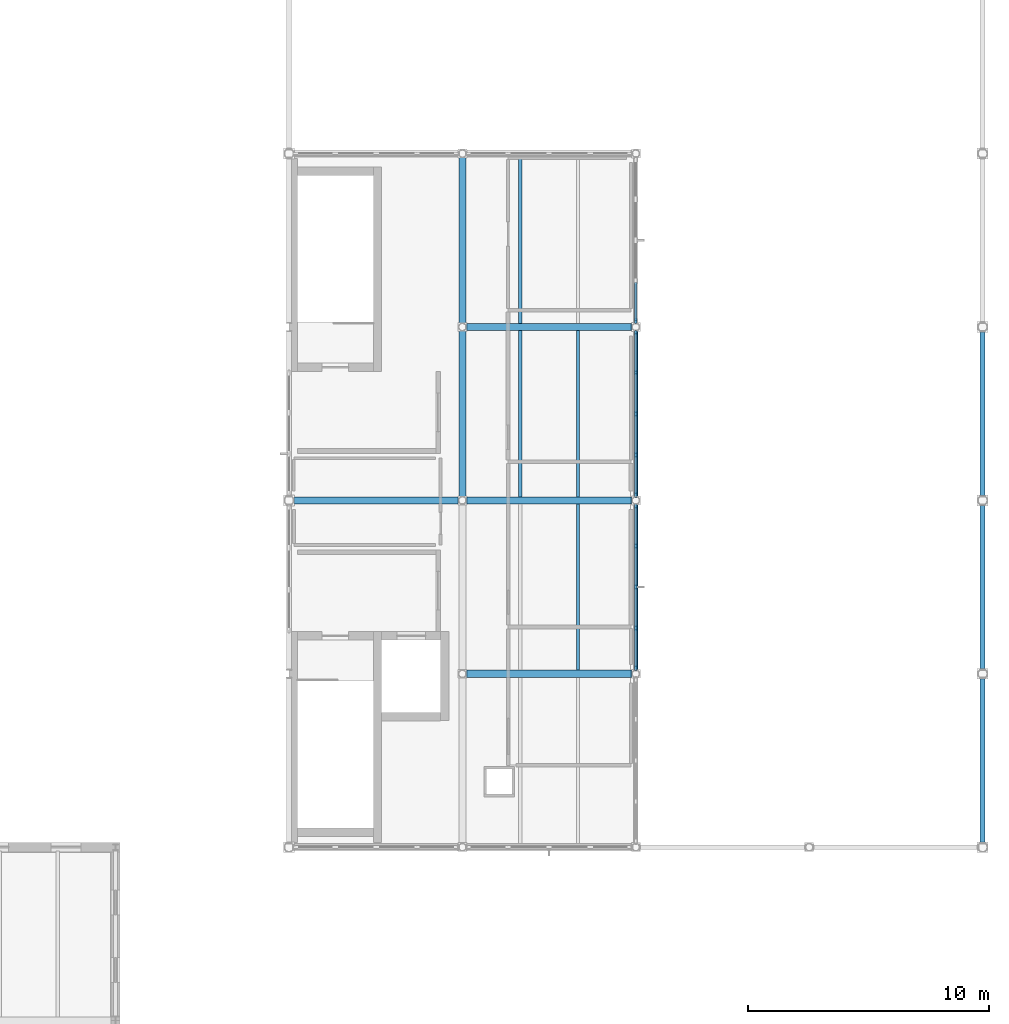
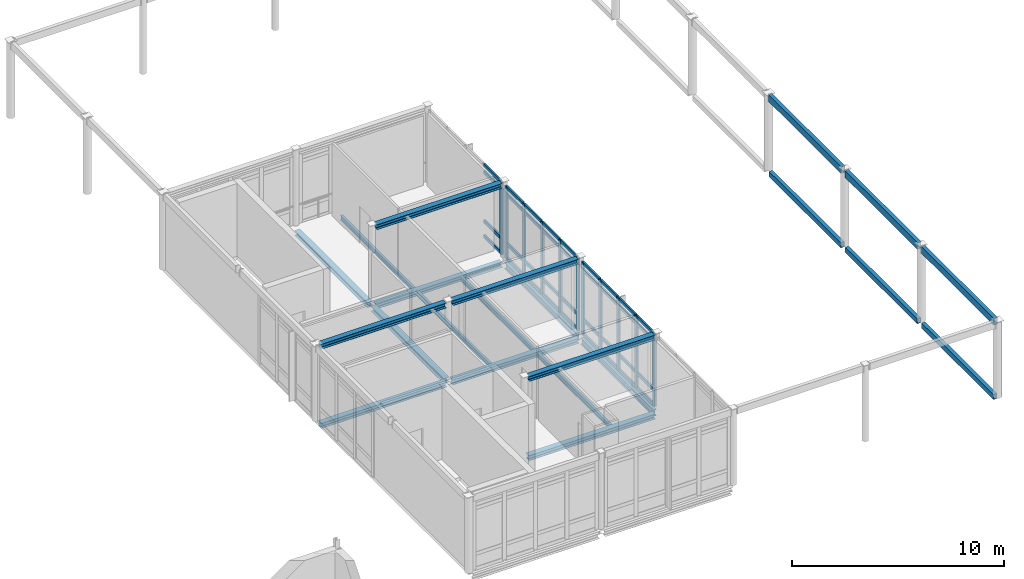
# One storey, part 25 of 72: 47 members, 22 beams, 3 elements without a shape of their own.
"""IFC4 building model written with IfcOpenShell, lengths in metres."""

from ifc_helpers import new_model, si_unit, direction, frame, origin, origin_2d, place, context, subcontext, project, spatial, rectangle, hollow_rectangle, i_section, extrude, material, layer, layer_set, material_profile, profile_set, type_object, element, aggregate, save


model = new_model("IFC4")

# Units and contexts
model_context = context("Model", 3, precision=1e-05, world=origin(), true_north=direction((0.0, 1.0)))
body_context = subcontext(model_context, "Body", "Model", "MODEL_VIEW")
ifc_project = project(units=[si_unit("LENGTHUNIT", "METRE"), si_unit("AREAUNIT", "SQUARE_METRE"), si_unit("VOLUMEUNIT", "CUBIC_METRE"), si_unit("PLANEANGLEUNIT", "RADIAN"), si_unit("MASSUNIT", "GRAM", prefix="KILO")], contexts=[model_context])

# Site, building, storey
site_placement = place(None, origin())
site = spatial("IfcSite", under=ifc_project, at=site_placement, CompositionType="ELEMENT")
building_placement = place(site_placement, origin())
building = spatial("IfcBuilding", under=site, at=building_placement, Name="Zarrinpeak Specialist Clinic", CompositionType="ELEMENT")
storey_placement = place(building_placement, frame((0.0, 0.0, 9.60009765625)))
storey = spatial("IfcBuildingStorey", under=building, at=storey_placement, Name="L02", CompositionType="ELEMENT", Elevation=9.60009765625)

# Beams
ifc_material_1 = material(Name="Steel S355", Category="steel")
ifc_material_profile_1 = material_profile(ifc_material_1, i_section(OverallWidth=0.300048828125, OverallDepth=0.2900390625, WebThickness=0.008544921875, FlangeThickness=0.013916015625, FilletRadius=0.027099609375, at=origin_2d()), Name="HEA 300")
ifc_profile_set_1 = profile_set([ifc_material_profile_1], Name="Steel S355")
beam_type_1 = type_object("IfcBeamType", Name="BM-HEA300", PredefinedType="BEAM", material=ifc_profile_set_1)
beam_1_placement = place(storey_placement, frame((100.9599609375, 36.0, -0.360107421875), z_axis=(1.0, 0.0, 0.0), x_axis=(0.0, 1.0, 0.0)))
element("IfcBeam", 1, at=beam_1_placement, inside=storey, type_object=beam_type_1, Name="L02 Primary Floor Girder BM-L02-X1165", PredefinedType="BEAM", context=body_context, shape_type="SweptSolid", body=[
    extrude(i_section(OverallWidth=0.300048828125, OverallDepth=0.2900390625, WebThickness=0.008544921875, FlangeThickness=0.013916015625, FilletRadius=0.027099609375, at=origin_2d()), origin(), (0.0, 0.0, 1.0), 6.880126953125),
])
beam_2_placement = place(storey_placement, frame((93.80126953125, 43.199951171875, -0.360107421875), z_axis=(1.0, 0.0, 0.0), x_axis=(0.0, 1.0, 0.0)))
element("IfcBeam", 2, at=beam_2_placement, inside=storey, type_object=beam_type_1, Name="L02 Primary Floor Girder BM-L02-X1170", PredefinedType="BEAM", context=body_context, shape_type="SweptSolid", body=[
    extrude(i_section(OverallWidth=0.300048828125, OverallDepth=0.2900390625, WebThickness=0.008544921875, FlangeThickness=0.013916015625, FilletRadius=0.027099609375, at=origin_2d()), origin(), (0.0, 0.0, 1.0), 6.838623046875),
])
for number, where, z_axis, x_axis, name in (
    (3, (100.9599609375, 43.199951171875, -0.360107421875), (1.0, 0.0, 0.0), (0.0, 1.0, 0.0), "L02 Primary Floor Girder BM-L02-X1171"),
    (4, (100.9599609375, 50.39990234375, -0.360107421875), (1.0, 0.0, 0.0), (0.0, 1.0, 0.0), "L02 Primary Floor Girder BM-L02-X1176"),
    (5, (100.800048828125, 43.35986328125, -0.360107421875), (0.0, 1.0, 0.0), (-1.0, 0.0, 0.0), "L02 Primary Beam BM-L02-Y1325"),
):
    element("IfcBeam", number, at=place(storey_placement, frame(where, z_axis=z_axis, x_axis=x_axis)), inside=storey, type_object=beam_type_1, Name=name, PredefinedType="BEAM", context=body_context, shape_type="SweptSolid", body=[
        extrude(i_section(OverallWidth=0.300048828125, OverallDepth=0.2900390625, WebThickness=0.008544921875, FlangeThickness=0.013916015625, FilletRadius=0.027099609375, at=origin_2d()), origin(), (0.0, 0.0, 1.0), 6.880126953125),
    ])
beam_3_placement = place(storey_placement, frame((100.800048828125, 50.559814453125, -0.360107421875), z_axis=(0.0, 1.0, 0.0), x_axis=(-1.0, 0.0, 0.0)))
element("IfcBeam", 6, at=beam_3_placement, inside=storey, type_object=beam_type_1, Name="L02 Primary Beam BM-L02-Y1326", PredefinedType="BEAM", context=body_context, shape_type="SweptSolid", body=[
    extrude(i_section(OverallWidth=0.300048828125, OverallDepth=0.2900390625, WebThickness=0.008544921875, FlangeThickness=0.013916015625, FilletRadius=0.027099609375, at=origin_2d()), origin(), (0.0, 0.0, 1.0), 6.88037109375),
])
for number, where, z_axis, x_axis, name in (
    (7, (100.989990234375, 36.0, 4.199951171875), (1.0, 0.0, 0.0), (0.0, 1.0, 0.0), "V3 Gallery Top Tie Beam BM-V3-TOP-2567"),
    (8, (93.7900390625, 43.199951171875, 4.199951171875), (1.0, 0.0, 0.0), (0.0, 1.0, 0.0), "V3 Gallery Top Tie Beam BM-V3-TOP-2568"),
    (9, (100.989990234375, 43.199951171875, 4.199951171875), (1.0, 0.0, 0.0), (0.0, 1.0, 0.0), "V3 Gallery Top Tie Beam BM-V3-TOP-2569"),
    (10, (100.989990234375, 50.39990234375, 4.199951171875), (1.0, 0.0, 0.0), (0.0, 1.0, 0.0), "V3 Gallery Top Tie Beam BM-V3-TOP-2570"),
):
    element("IfcBeam", number, at=place(storey_placement, frame(where, z_axis=z_axis, x_axis=x_axis)), inside=storey, type_object=beam_type_1, Name=name, PredefinedType="BEAM", context=body_context, shape_type="SweptSolid", body=[
        extrude(i_section(OverallWidth=0.300048828125, OverallDepth=0.2900390625, WebThickness=0.008544921875, FlangeThickness=0.013916015625, FilletRadius=0.027099609375, at=origin_2d()), origin(), (0.0, 0.0, 1.0), 6.820068359375),
    ])
ifc_material_profile_2 = material_profile(ifc_material_1, i_section(OverallWidth=0.135009765625, OverallDepth=0.27001953125, WebThickness=0.006591796875, FlangeThickness=0.01025390625, FilletRadius=0.014892578125, at=origin_2d()), Name="IPE 270")
ifc_profile_set_2 = profile_set([ifc_material_profile_2], Name="Steel S355")
beam_type_2 = type_object("IfcBeamType", Name="BM-JST270", PredefinedType="JOIST", material=ifc_profile_set_2)
for number, where, z_axis, x_axis, name in (
    (11, (105.60009765625, 36.14794921875, -0.35009765625), (0.0, 1.0, 0.0), (-1.0, 0.0, 0.0), "L02 Composite Floor Joist JST-L02-1418"),
    (12, (103.199951171875, 43.347900390625, -0.35009765625), (0.0, 1.0, 0.0), (-1.0, 0.0, 0.0), "L02 Composite Floor Joist JST-L02-1419"),
    (13, (105.60009765625, 43.347900390625, -0.35009765625), (0.0, 1.0, 0.0), (-1.0, 0.0, 0.0), "L02 Composite Floor Joist JST-L02-1420"),
):
    element("IfcBeam", number, at=place(storey_placement, frame(where, z_axis=z_axis, x_axis=x_axis)), inside=storey, type_object=beam_type_2, Name=name, PredefinedType="JOIST", context=body_context, shape_type="SweptSolid", body=[
        extrude(i_section(OverallWidth=0.135009765625, OverallDepth=0.27001953125, WebThickness=0.006591796875, FlangeThickness=0.01025390625, FilletRadius=0.014892578125, at=origin_2d()), origin(), (0.0, 0.0, 1.0), 6.904052734375),
    ])
beam_4_placement = place(storey_placement, frame((103.199951171875, 50.548095703125, -0.35009765625), z_axis=(0.0, 1.0, 0.0), x_axis=(-1.0, 0.0, 0.0)))
element("IfcBeam", 14, at=beam_4_placement, inside=storey, type_object=beam_type_2, Name="L02 Composite Floor Joist JST-L02-1421", PredefinedType="JOIST", context=body_context, shape_type="SweptSolid", body=[
    extrude(i_section(OverallWidth=0.135009765625, OverallDepth=0.27001953125, WebThickness=0.006591796875, FlangeThickness=0.01025390625, FilletRadius=0.014892578125, at=origin_2d()), origin(), (0.0, 0.0, 1.0), 6.90380859375),
])
ifc_material_profile_3 = material_profile(ifc_material_1, hollow_rectangle(XDim=0.199951171875, YDim=0.39990234375, WallThickness=0.01611328125, at=origin_2d()), Name="RHS 400x200x16.0")
ifc_profile_set_3 = profile_set([ifc_material_profile_3], Name="Steel S355")
beam_type_3 = type_object("IfcBeamType", Name="BM-RING400", PredefinedType="BEAM", material=ifc_profile_set_3)
for number, where, z_axis, x_axis, name in (
    (15, (122.39990234375, 28.97998046875, 4.199951171875), (0.0, 1.0, 0.0), (-1.0, 0.0, 0.0), "V3 Gridshell Perimeter Ring Beam RB-V3-Y2561"),
    (16, (122.39990234375, 36.179931640625, 4.199951171875), (0.0, 1.0, 0.0), (-1.0, 0.0, 0.0), "V3 Gridshell Perimeter Ring Beam RB-V3-Y2562"),
    (17, (122.39990234375, 43.3798828125, 4.199951171875), (0.0, 1.0, 0.0), (-1.0, 0.0, 0.0), "V3 Gridshell Perimeter Ring Beam RB-V3-Y2563"),
):
    element("IfcBeam", number, at=place(storey_placement, frame(where, z_axis=z_axis, x_axis=x_axis)), inside=storey, type_object=beam_type_3, Name=name, PredefinedType="BEAM", context=body_context, shape_type="SweptSolid", body=[
        extrude(hollow_rectangle(XDim=0.199951171875, YDim=0.39990234375, WallThickness=0.01611328125, at=origin_2d()), origin(), (0.0, 0.0, 1.0), 6.840087890625),
    ])
ifc_material_profile_4 = material_profile(ifc_material_1, hollow_rectangle(XDim=0.199951171875, YDim=0.300048828125, WallThickness=0.012451171875, at=origin_2d()), Name="RHS 300x200x12.5")
ifc_profile_set_4 = profile_set([ifc_material_profile_4], Name="Steel S355")
beam_type_4 = type_object("IfcBeamType", Name="BM-SP300", PredefinedType="SPANDREL", material=ifc_profile_set_4)
for number, where, z_axis, x_axis, name in (
    (18, (122.39990234375, 29.010009765625, -0.150146484375), (0.0, 1.0, 0.0), (-1.0, 0.0, 0.0), "L02 V3 Hall East Spandrel Girt Y2541"),
    (19, (122.39990234375, 36.2099609375, -0.150146484375), (0.0, 1.0, 0.0), (-1.0, 0.0, 0.0), "L02 V3 Hall East Spandrel Girt Y2542"),
    (20, (122.39990234375, 43.409912109375, -0.150146484375), (0.0, 1.0, 0.0), (-1.0, 0.0, 0.0), "L02 V3 Hall East Spandrel Girt Y2543"),
):
    element("IfcBeam", number, at=place(storey_placement, frame(where, z_axis=z_axis, x_axis=x_axis)), inside=storey, type_object=beam_type_4, Name=name, PredefinedType="SPANDREL", context=body_context, shape_type="SweptSolid", body=[
        extrude(hollow_rectangle(XDim=0.199951171875, YDim=0.300048828125, WallThickness=0.012451171875, at=origin_2d()), origin(), (0.0, 0.0, 1.0), 6.780029296875),
    ])
ifc_material_profile_5 = material_profile(ifc_material_1, i_section(OverallWidth=0.169921875, OverallDepth=0.360107421875, WebThickness=0.008056640625, FlangeThickness=0.0126953125, FilletRadius=0.01806640625, at=origin_2d()), Name="IPE 360")
ifc_profile_set_5 = profile_set([ifc_material_profile_5], Name="Steel S355")
beam_type_5 = type_object("IfcBeamType", Name="BM-SP360", PredefinedType="SPANDREL", material=ifc_profile_set_5)
for number, where, z_axis, x_axis, name in (
    (21, (108.0, 36.159912109375, -0.39501953125), (0.0, 1.0, 0.0), (-1.0, 0.0, 0.0), "L02 Perimeter Spandrel Beam BM-L02-Y1328"),
    (22, (108.0, 43.35986328125, -0.39501953125), (0.0, 1.0, 0.0), (-1.0, 0.0, 0.0), "L02 Perimeter Spandrel Beam BM-L02-Y1329"),
):
    element("IfcBeam", number, at=place(storey_placement, frame(where, z_axis=z_axis, x_axis=x_axis)), inside=storey, type_object=beam_type_5, Name=name, PredefinedType="SPANDREL", context=body_context, shape_type="SweptSolid", body=[
        extrude(i_section(OverallWidth=0.169921875, OverallDepth=0.360107421875, WebThickness=0.008056640625, FlangeThickness=0.0126953125, FilletRadius=0.01806640625, at=origin_2d()), origin(), (0.0, 0.0, 1.0), 6.880126953125),
    ])

# Curtain wall, members
ifc_material_2 = material(Name="Anodised Aluminium Alloy 6063-T6", Category="aluminium")
ifc_layer = layer(ifc_material_2, 0.199951171875)
ifc_layer_set = layer_set([ifc_layer], Name="Anodised Aluminium Alloy 6063-T6")
curtain_wall_type = type_object("IfcCurtainWallType", Name="CW-HALL", PredefinedType="NOTDEFINED", material=ifc_layer_set)
curtain_wall_1_placement = place(storey_placement, origin())
curtain_wall_1 = element("IfcCurtainWall", 23, at=curtain_wall_1_placement, inside=storey, type_object=curtain_wall_type, Name="L02 V3 Unitised Curtain Wall CW-L02-V3-118", PredefinedType="NOTDEFINED")
ifc_material_profile_6 = material_profile(ifc_material_2, rectangle(XDim=0.090087890625, YDim=0.219970703125, at=origin_2d()), Name="ALU 90x220")
ifc_profile_set_6 = profile_set([ifc_material_profile_6], Name="Anodised Aluminium Alloy 6063-T6")
member_type_1 = type_object("IfcMemberType", Name="CWM-90", PredefinedType="MULLION", material=ifc_profile_set_6)
member_1_placement = place(storey_placement, frame((108.0, 36.23193359375, 0.0), z_axis=(0.0, 0.0, 1.0), x_axis=(-1.0, 0.0, 0.0)))
member_1 = element("IfcMember", 24, at=member_1_placement, type_object=member_type_1, Name="CW-02 mullion 1", PredefinedType="MULLION", context=body_context, shape_type="SweptSolid", body=[
    extrude(rectangle(XDim=0.090087890625, YDim=0.219970703125, at=origin_2d()), origin(), (0.0, 0.0, 1.0), 4.179931640625),
])
member_2_placement = place(storey_placement, frame((108.0, 37.8935546875, 0.0), z_axis=(0.0, 0.0, 1.0), x_axis=(-1.0, 0.0, 0.0)))
member_2 = element("IfcMember", 25, at=member_2_placement, type_object=member_type_1, Name="CW-02 mullion 2", PredefinedType="MULLION", context=body_context, shape_type="SweptSolid", body=[
    extrude(rectangle(XDim=0.090087890625, YDim=0.219970703125, at=origin_2d()), origin(), (0.0, 0.0, 1.0), 4.179931640625),
])
member_3_placement = place(storey_placement, frame((108.0, 39.60009765625, 0.0), z_axis=(0.0, 0.0, 1.0), x_axis=(-1.0, 0.0, 0.0)))
member_3 = element("IfcMember", 26, at=member_3_placement, type_object=member_type_1, Name="CW-02 mullion 3", PredefinedType="MULLION", context=body_context, shape_type="SweptSolid", body=[
    extrude(rectangle(XDim=0.090087890625, YDim=0.219970703125, at=origin_2d()), origin(), (0.0, 0.0, 1.0), 4.179931640625),
])
member_4_placement = place(storey_placement, frame((108.0, 41.306396484375, 0.0), z_axis=(0.0, 0.0, 1.0), x_axis=(-1.0, 0.0, 0.0)))
member_4 = element("IfcMember", 27, at=member_4_placement, type_object=member_type_1, Name="CW-02 mullion 4", PredefinedType="MULLION", context=body_context, shape_type="SweptSolid", body=[
    extrude(rectangle(XDim=0.090087890625, YDim=0.219970703125, at=origin_2d()), origin(), (0.0, 0.0, 1.0), 4.179931640625),
])
member_5_placement = place(storey_placement, frame((108.0, 42.968017578125, 0.0), z_axis=(0.0, 0.0, 1.0), x_axis=(-1.0, 0.0, 0.0)))
member_5 = element("IfcMember", 28, at=member_5_placement, type_object=member_type_1, Name="CW-02 mullion 5", PredefinedType="MULLION", context=body_context, shape_type="SweptSolid", body=[
    extrude(rectangle(XDim=0.090087890625, YDim=0.219970703125, at=origin_2d()), origin(), (0.0, 0.0, 1.0), 4.179931640625),
])

curtain_wall_2_placement = place(storey_placement, origin())
curtain_wall_2 = element("IfcCurtainWall", 29, at=curtain_wall_2_placement, inside=storey, type_object=curtain_wall_type, Name="L02 V3 Unitised Curtain Wall CW-L02-V3-119", PredefinedType="NOTDEFINED")
member_6_placement = place(storey_placement, frame((108.0, 43.431884765625, 0.0), z_axis=(0.0, 0.0, 1.0), x_axis=(-1.0, 0.0, 0.0)))
member_6 = element("IfcMember", 30, at=member_6_placement, type_object=member_type_1, Name="CW-02 mullion 1", PredefinedType="MULLION", context=body_context, shape_type="SweptSolid", body=[
    extrude(rectangle(XDim=0.090087890625, YDim=0.219970703125, at=origin_2d()), origin(), (0.0, 0.0, 1.0), 4.179931640625),
])
member_7_placement = place(storey_placement, frame((108.0, 45.093505859375, 0.0), z_axis=(0.0, 0.0, 1.0), x_axis=(-1.0, 0.0, 0.0)))
member_7 = element("IfcMember", 31, at=member_7_placement, type_object=member_type_1, Name="CW-02 mullion 2", PredefinedType="MULLION", context=body_context, shape_type="SweptSolid", body=[
    extrude(rectangle(XDim=0.090087890625, YDim=0.219970703125, at=origin_2d()), origin(), (0.0, 0.0, 1.0), 4.179931640625),
])
member_8_placement = place(storey_placement, frame((108.0, 46.800048828125, 0.0), z_axis=(0.0, 0.0, 1.0), x_axis=(-1.0, 0.0, 0.0)))
member_8 = element("IfcMember", 32, at=member_8_placement, type_object=member_type_1, Name="CW-02 mullion 3", PredefinedType="MULLION", context=body_context, shape_type="SweptSolid", body=[
    extrude(rectangle(XDim=0.090087890625, YDim=0.219970703125, at=origin_2d()), origin(), (0.0, 0.0, 1.0), 4.179931640625),
])
member_9_placement = place(storey_placement, frame((108.0, 48.506591796875, 0.0), z_axis=(0.0, 0.0, 1.0), x_axis=(-1.0, 0.0, 0.0)))
member_9 = element("IfcMember", 33, at=member_9_placement, type_object=member_type_1, Name="CW-02 mullion 4", PredefinedType="MULLION", context=body_context, shape_type="SweptSolid", body=[
    extrude(rectangle(XDim=0.090087890625, YDim=0.219970703125, at=origin_2d()), origin(), (0.0, 0.0, 1.0), 4.179931640625),
])
member_10_placement = place(storey_placement, frame((108.0, 50.16796875, 0.0), z_axis=(0.0, 0.0, 1.0), x_axis=(-1.0, 0.0, 0.0)))
member_10 = element("IfcMember", 34, at=member_10_placement, type_object=member_type_1, Name="CW-02 mullion 5", PredefinedType="MULLION", context=body_context, shape_type="SweptSolid", body=[
    extrude(rectangle(XDim=0.090087890625, YDim=0.219970703125, at=origin_2d()), origin(), (0.0, 0.0, 1.0), 4.179931640625),
])

# Curtain wall, member
curtain_wall_3_placement = place(storey_placement, origin())
curtain_wall_3 = element("IfcCurtainWall", 35, at=curtain_wall_3_placement, inside=storey, type_object=curtain_wall_type, Name="L02 V3 Unitised Curtain Wall CW-L02-V3-120", PredefinedType="NOTDEFINED")
member_11_placement = place(storey_placement, frame((108.0, 50.632080078125, 0.0), z_axis=(0.0, 0.0, 1.0), x_axis=(-1.0, 0.0, 0.0)))
member_11 = element("IfcMember", 36, at=member_11_placement, type_object=member_type_1, Name="CW-02 mullion 1", PredefinedType="MULLION", context=body_context, shape_type="SweptSolid", body=[
    extrude(rectangle(XDim=0.090087890625, YDim=0.219970703125, at=origin_2d()), origin(), (0.0, 0.0, 1.0), 4.179931640625),
])

# Member
ifc_material_profile_7 = material_profile(ifc_material_2, rectangle(XDim=0.090087890625, YDim=0.18994140625, at=origin_2d()), Name="ALU 90x190")
ifc_profile_set_7 = profile_set([ifc_material_profile_7], Name="Anodised Aluminium Alloy 6063-T6")
member_type_2 = type_object("IfcMemberType", Name="CWT-90", PredefinedType="USERDEFINED", material=ifc_profile_set_7)
member_12_placement = place(storey_placement, frame((108.0, 36.277099609375, 0.044921875), z_axis=(0.0, 1.0, 0.0), x_axis=(-1.0, 0.0, 0.0)))
member_12 = element("IfcMember", 37, at=member_12_placement, type_object=member_type_2, Name="CW-02 transom 1.1", ObjectType="TRANSOM", PredefinedType="USERDEFINED", context=body_context, shape_type="SweptSolid", body=[
    extrude(rectangle(XDim=0.090087890625, YDim=0.18994140625, at=origin_2d()), origin(), (0.0, 0.0, 1.0), 1.5712890625),
])

member_13_placement = place(storey_placement, frame((108.0, 36.277099609375, 0.89990234375), z_axis=(0.0, 1.0, 0.0), x_axis=(-1.0, 0.0, 0.0)))
member_13 = element("IfcMember", 38, at=member_13_placement, type_object=member_type_2, Name="CW-02 transom 1.2", ObjectType="TRANSOM", PredefinedType="USERDEFINED", context=body_context, shape_type="SweptSolid", body=[
    extrude(rectangle(XDim=0.090087890625, YDim=0.18994140625, at=origin_2d()), origin(), (0.0, 0.0, 1.0), 1.5712890625),
])

member_14_placement = place(storey_placement, frame((108.0, 36.277099609375, 3.72998046875), z_axis=(0.0, 1.0, 0.0), x_axis=(-1.0, 0.0, 0.0)))
member_14 = element("IfcMember", 39, at=member_14_placement, type_object=member_type_2, Name="CW-02 transom 1.3", ObjectType="TRANSOM", PredefinedType="USERDEFINED", context=body_context, shape_type="SweptSolid", body=[
    extrude(rectangle(XDim=0.090087890625, YDim=0.18994140625, at=origin_2d()), origin(), (0.0, 0.0, 1.0), 1.5712890625),
])

member_15_placement = place(storey_placement, frame((108.0, 36.277099609375, 4.135009765625), z_axis=(0.0, 1.0, 0.0), x_axis=(-1.0, 0.0, 0.0)))
member_15 = element("IfcMember", 40, at=member_15_placement, type_object=member_type_2, Name="CW-02 transom 1.4", ObjectType="TRANSOM", PredefinedType="USERDEFINED", context=body_context, shape_type="SweptSolid", body=[
    extrude(rectangle(XDim=0.090087890625, YDim=0.18994140625, at=origin_2d()), origin(), (0.0, 0.0, 1.0), 1.5712890625),
])

member_16_placement = place(storey_placement, frame((108.0, 37.9384765625, 0.044921875), z_axis=(0.0, 1.0, 0.0), x_axis=(-1.0, 0.0, 0.0)))
member_16 = element("IfcMember", 41, at=member_16_placement, type_object=member_type_2, Name="CW-02 transom 2.1", ObjectType="TRANSOM", PredefinedType="USERDEFINED", context=body_context, shape_type="SweptSolid", body=[
    extrude(rectangle(XDim=0.090087890625, YDim=0.18994140625, at=origin_2d()), origin(), (0.0, 0.0, 1.0), 1.616455078125),
])

member_17_placement = place(storey_placement, frame((108.0, 37.9384765625, 0.89990234375), z_axis=(0.0, 1.0, 0.0), x_axis=(-1.0, 0.0, 0.0)))
member_17 = element("IfcMember", 42, at=member_17_placement, type_object=member_type_2, Name="CW-02 transom 2.2", ObjectType="TRANSOM", PredefinedType="USERDEFINED", context=body_context, shape_type="SweptSolid", body=[
    extrude(rectangle(XDim=0.090087890625, YDim=0.18994140625, at=origin_2d()), origin(), (0.0, 0.0, 1.0), 1.616455078125),
])

member_18_placement = place(storey_placement, frame((108.0, 37.9384765625, 3.72998046875), z_axis=(0.0, 1.0, 0.0), x_axis=(-1.0, 0.0, 0.0)))
member_18 = element("IfcMember", 43, at=member_18_placement, type_object=member_type_2, Name="CW-02 transom 2.3", ObjectType="TRANSOM", PredefinedType="USERDEFINED", context=body_context, shape_type="SweptSolid", body=[
    extrude(rectangle(XDim=0.090087890625, YDim=0.18994140625, at=origin_2d()), origin(), (0.0, 0.0, 1.0), 1.616455078125),
])

member_19_placement = place(storey_placement, frame((108.0, 37.9384765625, 4.135009765625), z_axis=(0.0, 1.0, 0.0), x_axis=(-1.0, 0.0, 0.0)))
member_19 = element("IfcMember", 44, at=member_19_placement, type_object=member_type_2, Name="CW-02 transom 2.4", ObjectType="TRANSOM", PredefinedType="USERDEFINED", context=body_context, shape_type="SweptSolid", body=[
    extrude(rectangle(XDim=0.090087890625, YDim=0.18994140625, at=origin_2d()), origin(), (0.0, 0.0, 1.0), 1.616455078125),
])

member_20_placement = place(storey_placement, frame((108.0, 39.64501953125, 0.044921875), z_axis=(0.0, 1.0, 0.0), x_axis=(-1.0, 0.0, 0.0)))
member_20 = element("IfcMember", 45, at=member_20_placement, type_object=member_type_2, Name="CW-02 transom 3.1", ObjectType="TRANSOM", PredefinedType="USERDEFINED", context=body_context, shape_type="SweptSolid", body=[
    extrude(rectangle(XDim=0.090087890625, YDim=0.18994140625, at=origin_2d()), origin(), (0.0, 0.0, 1.0), 1.616455078125),
])

member_21_placement = place(storey_placement, frame((108.0, 39.64501953125, 0.89990234375), z_axis=(0.0, 1.0, 0.0), x_axis=(-1.0, 0.0, 0.0)))
member_21 = element("IfcMember", 46, at=member_21_placement, type_object=member_type_2, Name="CW-02 transom 3.2", ObjectType="TRANSOM", PredefinedType="USERDEFINED", context=body_context, shape_type="SweptSolid", body=[
    extrude(rectangle(XDim=0.090087890625, YDim=0.18994140625, at=origin_2d()), origin(), (0.0, 0.0, 1.0), 1.616455078125),
])

member_22_placement = place(storey_placement, frame((108.0, 39.64501953125, 3.72998046875), z_axis=(0.0, 1.0, 0.0), x_axis=(-1.0, 0.0, 0.0)))
member_22 = element("IfcMember", 47, at=member_22_placement, type_object=member_type_2, Name="CW-02 transom 3.3", ObjectType="TRANSOM", PredefinedType="USERDEFINED", context=body_context, shape_type="SweptSolid", body=[
    extrude(rectangle(XDim=0.090087890625, YDim=0.18994140625, at=origin_2d()), origin(), (0.0, 0.0, 1.0), 1.616455078125),
])

member_23_placement = place(storey_placement, frame((108.0, 39.64501953125, 4.135009765625), z_axis=(0.0, 1.0, 0.0), x_axis=(-1.0, 0.0, 0.0)))
member_23 = element("IfcMember", 48, at=member_23_placement, type_object=member_type_2, Name="CW-02 transom 3.4", ObjectType="TRANSOM", PredefinedType="USERDEFINED", context=body_context, shape_type="SweptSolid", body=[
    extrude(rectangle(XDim=0.090087890625, YDim=0.18994140625, at=origin_2d()), origin(), (0.0, 0.0, 1.0), 1.616455078125),
])

member_24_placement = place(storey_placement, frame((108.0, 41.3515625, 0.044921875), z_axis=(0.0, 1.0, 0.0), x_axis=(-1.0, 0.0, 0.0)))
member_24 = element("IfcMember", 49, at=member_24_placement, type_object=member_type_2, Name="CW-02 transom 4.1", ObjectType="TRANSOM", PredefinedType="USERDEFINED", context=body_context, shape_type="SweptSolid", body=[
    extrude(rectangle(XDim=0.090087890625, YDim=0.18994140625, at=origin_2d()), origin(), (0.0, 0.0, 1.0), 1.571533203125),
])

member_25_placement = place(storey_placement, frame((108.0, 41.3515625, 0.89990234375), z_axis=(0.0, 1.0, 0.0), x_axis=(-1.0, 0.0, 0.0)))
member_25 = element("IfcMember", 50, at=member_25_placement, type_object=member_type_2, Name="CW-02 transom 4.2", ObjectType="TRANSOM", PredefinedType="USERDEFINED", context=body_context, shape_type="SweptSolid", body=[
    extrude(rectangle(XDim=0.090087890625, YDim=0.18994140625, at=origin_2d()), origin(), (0.0, 0.0, 1.0), 1.571533203125),
])

member_26_placement = place(storey_placement, frame((108.0, 41.3515625, 3.72998046875), z_axis=(0.0, 1.0, 0.0), x_axis=(-1.0, 0.0, 0.0)))
member_26 = element("IfcMember", 51, at=member_26_placement, type_object=member_type_2, Name="CW-02 transom 4.3", ObjectType="TRANSOM", PredefinedType="USERDEFINED", context=body_context, shape_type="SweptSolid", body=[
    extrude(rectangle(XDim=0.090087890625, YDim=0.18994140625, at=origin_2d()), origin(), (0.0, 0.0, 1.0), 1.571533203125),
])

member_27_placement = place(storey_placement, frame((108.0, 41.3515625, 4.135009765625), z_axis=(0.0, 1.0, 0.0), x_axis=(-1.0, 0.0, 0.0)))
member_27 = element("IfcMember", 52, at=member_27_placement, type_object=member_type_2, Name="CW-02 transom 4.4", ObjectType="TRANSOM", PredefinedType="USERDEFINED", context=body_context, shape_type="SweptSolid", body=[
    extrude(rectangle(XDim=0.090087890625, YDim=0.18994140625, at=origin_2d()), origin(), (0.0, 0.0, 1.0), 1.571533203125),
])

aggregate(curtain_wall_1, [member_1, member_2, member_3, member_4, member_5, member_12, member_13, member_14, member_15, member_16, member_17, member_18, member_19, member_20, member_21, member_22, member_23, member_24, member_25, member_26, member_27])

member_28_placement = place(storey_placement, frame((108.0, 43.47705078125, 0.044921875), z_axis=(0.0, 1.0, 0.0), x_axis=(-1.0, 0.0, 0.0)))
member_28 = element("IfcMember", 53, at=member_28_placement, type_object=member_type_2, Name="CW-02 transom 1.1", ObjectType="TRANSOM", PredefinedType="USERDEFINED", context=body_context, shape_type="SweptSolid", body=[
    extrude(rectangle(XDim=0.090087890625, YDim=0.18994140625, at=origin_2d()), origin(), (0.0, 0.0, 1.0), 1.571533203125),
])

member_29_placement = place(storey_placement, frame((108.0, 43.47705078125, 0.89990234375), z_axis=(0.0, 1.0, 0.0), x_axis=(-1.0, 0.0, 0.0)))
member_29 = element("IfcMember", 54, at=member_29_placement, type_object=member_type_2, Name="CW-02 transom 1.2", ObjectType="TRANSOM", PredefinedType="USERDEFINED", context=body_context, shape_type="SweptSolid", body=[
    extrude(rectangle(XDim=0.090087890625, YDim=0.18994140625, at=origin_2d()), origin(), (0.0, 0.0, 1.0), 1.571533203125),
])

member_30_placement = place(storey_placement, frame((108.0, 43.47705078125, 3.72998046875), z_axis=(0.0, 1.0, 0.0), x_axis=(-1.0, 0.0, 0.0)))
member_30 = element("IfcMember", 55, at=member_30_placement, type_object=member_type_2, Name="CW-02 transom 1.3", ObjectType="TRANSOM", PredefinedType="USERDEFINED", context=body_context, shape_type="SweptSolid", body=[
    extrude(rectangle(XDim=0.090087890625, YDim=0.18994140625, at=origin_2d()), origin(), (0.0, 0.0, 1.0), 1.571533203125),
])

member_31_placement = place(storey_placement, frame((108.0, 43.47705078125, 4.135009765625), z_axis=(0.0, 1.0, 0.0), x_axis=(-1.0, 0.0, 0.0)))
member_31 = element("IfcMember", 56, at=member_31_placement, type_object=member_type_2, Name="CW-02 transom 1.4", ObjectType="TRANSOM", PredefinedType="USERDEFINED", context=body_context, shape_type="SweptSolid", body=[
    extrude(rectangle(XDim=0.090087890625, YDim=0.18994140625, at=origin_2d()), origin(), (0.0, 0.0, 1.0), 1.571533203125),
])

member_32_placement = place(storey_placement, frame((108.0, 45.138427734375, 0.044921875), z_axis=(0.0, 1.0, 0.0), x_axis=(-1.0, 0.0, 0.0)))
member_32 = element("IfcMember", 57, at=member_32_placement, type_object=member_type_2, Name="CW-02 transom 2.1", ObjectType="TRANSOM", PredefinedType="USERDEFINED", context=body_context, shape_type="SweptSolid", body=[
    extrude(rectangle(XDim=0.090087890625, YDim=0.18994140625, at=origin_2d()), origin(), (0.0, 0.0, 1.0), 1.616455078125),
])

member_33_placement = place(storey_placement, frame((108.0, 45.138427734375, 0.89990234375), z_axis=(0.0, 1.0, 0.0), x_axis=(-1.0, 0.0, 0.0)))
member_33 = element("IfcMember", 58, at=member_33_placement, type_object=member_type_2, Name="CW-02 transom 2.2", ObjectType="TRANSOM", PredefinedType="USERDEFINED", context=body_context, shape_type="SweptSolid", body=[
    extrude(rectangle(XDim=0.090087890625, YDim=0.18994140625, at=origin_2d()), origin(), (0.0, 0.0, 1.0), 1.616455078125),
])

member_34_placement = place(storey_placement, frame((108.0, 45.138427734375, 3.72998046875), z_axis=(0.0, 1.0, 0.0), x_axis=(-1.0, 0.0, 0.0)))
member_34 = element("IfcMember", 59, at=member_34_placement, type_object=member_type_2, Name="CW-02 transom 2.3", ObjectType="TRANSOM", PredefinedType="USERDEFINED", context=body_context, shape_type="SweptSolid", body=[
    extrude(rectangle(XDim=0.090087890625, YDim=0.18994140625, at=origin_2d()), origin(), (0.0, 0.0, 1.0), 1.616455078125),
])

member_35_placement = place(storey_placement, frame((108.0, 45.138427734375, 4.135009765625), z_axis=(0.0, 1.0, 0.0), x_axis=(-1.0, 0.0, 0.0)))
member_35 = element("IfcMember", 60, at=member_35_placement, type_object=member_type_2, Name="CW-02 transom 2.4", ObjectType="TRANSOM", PredefinedType="USERDEFINED", context=body_context, shape_type="SweptSolid", body=[
    extrude(rectangle(XDim=0.090087890625, YDim=0.18994140625, at=origin_2d()), origin(), (0.0, 0.0, 1.0), 1.616455078125),
])

member_36_placement = place(storey_placement, frame((108.0, 46.844970703125, 0.044921875), z_axis=(0.0, 1.0, 0.0), x_axis=(-1.0, 0.0, 0.0)))
member_36 = element("IfcMember", 61, at=member_36_placement, type_object=member_type_2, Name="CW-02 transom 3.1", ObjectType="TRANSOM", PredefinedType="USERDEFINED", context=body_context, shape_type="SweptSolid", body=[
    extrude(rectangle(XDim=0.090087890625, YDim=0.18994140625, at=origin_2d()), origin(), (0.0, 0.0, 1.0), 1.616455078125),
])

member_37_placement = place(storey_placement, frame((108.0, 46.844970703125, 0.89990234375), z_axis=(0.0, 1.0, 0.0), x_axis=(-1.0, 0.0, 0.0)))
member_37 = element("IfcMember", 62, at=member_37_placement, type_object=member_type_2, Name="CW-02 transom 3.2", ObjectType="TRANSOM", PredefinedType="USERDEFINED", context=body_context, shape_type="SweptSolid", body=[
    extrude(rectangle(XDim=0.090087890625, YDim=0.18994140625, at=origin_2d()), origin(), (0.0, 0.0, 1.0), 1.616455078125),
])

member_38_placement = place(storey_placement, frame((108.0, 46.844970703125, 3.72998046875), z_axis=(0.0, 1.0, 0.0), x_axis=(-1.0, 0.0, 0.0)))
member_38 = element("IfcMember", 63, at=member_38_placement, type_object=member_type_2, Name="CW-02 transom 3.3", ObjectType="TRANSOM", PredefinedType="USERDEFINED", context=body_context, shape_type="SweptSolid", body=[
    extrude(rectangle(XDim=0.090087890625, YDim=0.18994140625, at=origin_2d()), origin(), (0.0, 0.0, 1.0), 1.616455078125),
])

member_39_placement = place(storey_placement, frame((108.0, 46.844970703125, 4.135009765625), z_axis=(0.0, 1.0, 0.0), x_axis=(-1.0, 0.0, 0.0)))
member_39 = element("IfcMember", 64, at=member_39_placement, type_object=member_type_2, Name="CW-02 transom 3.4", ObjectType="TRANSOM", PredefinedType="USERDEFINED", context=body_context, shape_type="SweptSolid", body=[
    extrude(rectangle(XDim=0.090087890625, YDim=0.18994140625, at=origin_2d()), origin(), (0.0, 0.0, 1.0), 1.616455078125),
])

member_40_placement = place(storey_placement, frame((108.0, 48.551513671875, 0.044921875), z_axis=(0.0, 1.0, 0.0), x_axis=(-1.0, 0.0, 0.0)))
member_40 = element("IfcMember", 65, at=member_40_placement, type_object=member_type_2, Name="CW-02 transom 4.1", ObjectType="TRANSOM", PredefinedType="USERDEFINED", context=body_context, shape_type="SweptSolid", body=[
    extrude(rectangle(XDim=0.090087890625, YDim=0.18994140625, at=origin_2d()), origin(), (0.0, 0.0, 1.0), 1.571533203125),
])

member_41_placement = place(storey_placement, frame((108.0, 48.551513671875, 0.89990234375), z_axis=(0.0, 1.0, 0.0), x_axis=(-1.0, 0.0, 0.0)))
member_41 = element("IfcMember", 66, at=member_41_placement, type_object=member_type_2, Name="CW-02 transom 4.2", ObjectType="TRANSOM", PredefinedType="USERDEFINED", context=body_context, shape_type="SweptSolid", body=[
    extrude(rectangle(XDim=0.090087890625, YDim=0.18994140625, at=origin_2d()), origin(), (0.0, 0.0, 1.0), 1.571533203125),
])

member_42_placement = place(storey_placement, frame((108.0, 48.551513671875, 3.72998046875), z_axis=(0.0, 1.0, 0.0), x_axis=(-1.0, 0.0, 0.0)))
member_42 = element("IfcMember", 67, at=member_42_placement, type_object=member_type_2, Name="CW-02 transom 4.3", ObjectType="TRANSOM", PredefinedType="USERDEFINED", context=body_context, shape_type="SweptSolid", body=[
    extrude(rectangle(XDim=0.090087890625, YDim=0.18994140625, at=origin_2d()), origin(), (0.0, 0.0, 1.0), 1.571533203125),
])

member_43_placement = place(storey_placement, frame((108.0, 48.551513671875, 4.135009765625), z_axis=(0.0, 1.0, 0.0), x_axis=(-1.0, 0.0, 0.0)))
member_43 = element("IfcMember", 68, at=member_43_placement, type_object=member_type_2, Name="CW-02 transom 4.4", ObjectType="TRANSOM", PredefinedType="USERDEFINED", context=body_context, shape_type="SweptSolid", body=[
    extrude(rectangle(XDim=0.090087890625, YDim=0.18994140625, at=origin_2d()), origin(), (0.0, 0.0, 1.0), 1.571533203125),
])

aggregate(curtain_wall_2, [member_6, member_7, member_8, member_9, member_10, member_28, member_29, member_30, member_31, member_32, member_33, member_34, member_35, member_36, member_37, member_38, member_39, member_40, member_41, member_42, member_43])

member_44_placement = place(storey_placement, frame((108.0, 50.677001953125, 0.044921875), z_axis=(0.0, 1.0, 0.0), x_axis=(-1.0, 0.0, 0.0)))
member_44 = element("IfcMember", 69, at=member_44_placement, type_object=member_type_2, Name="CW-02 transom 1.1", ObjectType="TRANSOM", PredefinedType="USERDEFINED", context=body_context, shape_type="SweptSolid", body=[
    extrude(rectangle(XDim=0.090087890625, YDim=0.18994140625, at=origin_2d()), origin(), (0.0, 0.0, 1.0), 1.571533203125),
])

member_45_placement = place(storey_placement, frame((108.0, 50.677001953125, 0.89990234375), z_axis=(0.0, 1.0, 0.0), x_axis=(-1.0, 0.0, 0.0)))
member_45 = element("IfcMember", 70, at=member_45_placement, type_object=member_type_2, Name="CW-02 transom 1.2", ObjectType="TRANSOM", PredefinedType="USERDEFINED", context=body_context, shape_type="SweptSolid", body=[
    extrude(rectangle(XDim=0.090087890625, YDim=0.18994140625, at=origin_2d()), origin(), (0.0, 0.0, 1.0), 1.571533203125),
])

member_46_placement = place(storey_placement, frame((108.0, 50.677001953125, 3.72998046875), z_axis=(0.0, 1.0, 0.0), x_axis=(-1.0, 0.0, 0.0)))
member_46 = element("IfcMember", 71, at=member_46_placement, type_object=member_type_2, Name="CW-02 transom 1.3", ObjectType="TRANSOM", PredefinedType="USERDEFINED", context=body_context, shape_type="SweptSolid", body=[
    extrude(rectangle(XDim=0.090087890625, YDim=0.18994140625, at=origin_2d()), origin(), (0.0, 0.0, 1.0), 1.571533203125),
])

member_47_placement = place(storey_placement, frame((108.0, 50.677001953125, 4.135009765625), z_axis=(0.0, 1.0, 0.0), x_axis=(-1.0, 0.0, 0.0)))
member_47 = element("IfcMember", 72, at=member_47_placement, type_object=member_type_2, Name="CW-02 transom 1.4", ObjectType="TRANSOM", PredefinedType="USERDEFINED", context=body_context, shape_type="SweptSolid", body=[
    extrude(rectangle(XDim=0.090087890625, YDim=0.18994140625, at=origin_2d()), origin(), (0.0, 0.0, 1.0), 1.571533203125),
])

aggregate(curtain_wall_3, [member_11, member_44, member_45, member_46, member_47])

save(model, "model.ifc")
